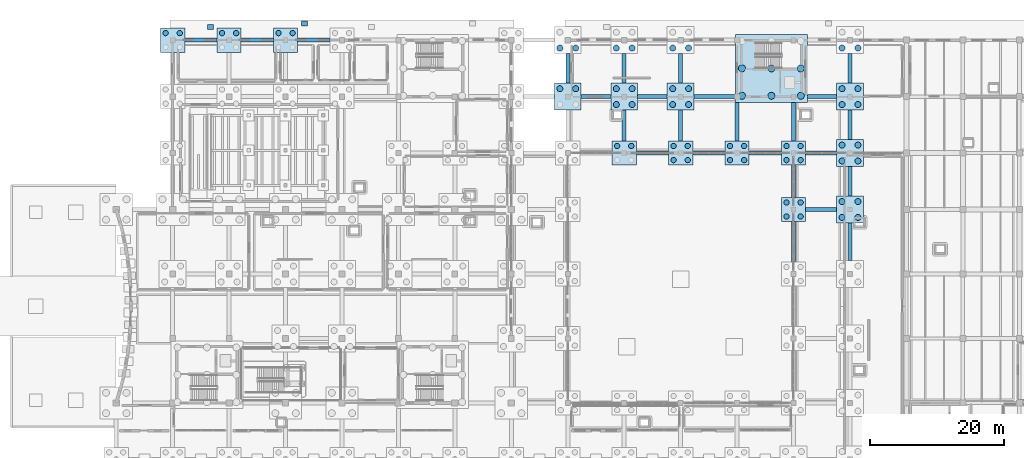
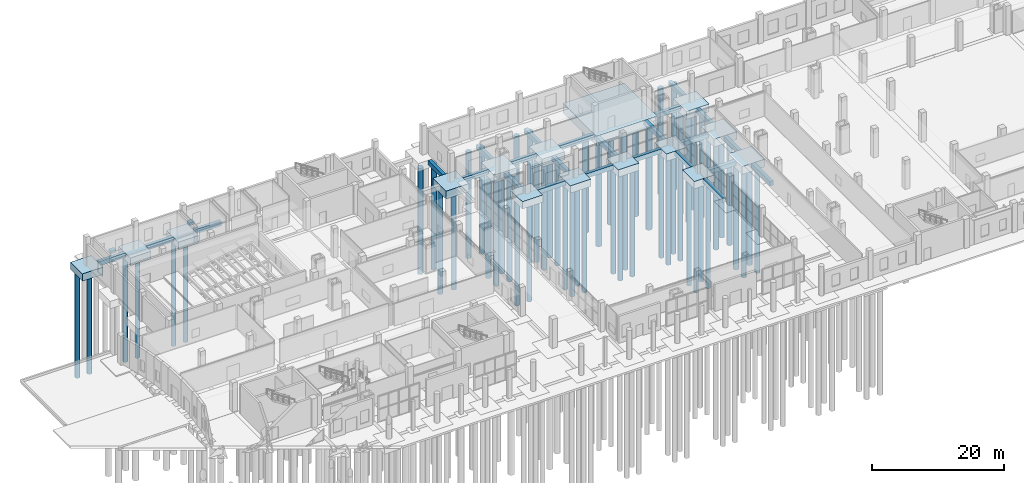
# One storey, part 6 of 65: 60 piles, 42 footings.
"""IFC4 building model written with IfcOpenShell, lengths in metres."""

from ifc_helpers import new_model, si_unit, direction, frame, origin, origin_2d, place, context, subcontext, project, spatial, polyline, circle, outline, extrude, material, layer, layer_set, material_profile, profile_set, type_object, element, save


model = new_model("IFC4")

# Units and contexts
model_context = context("Model", 3, precision=1e-05, world=origin(), true_north=direction((0.0, 1.0)))
body_context = subcontext(model_context, "Body", "Model", "MODEL_VIEW")
ifc_project = project(units=[si_unit("LENGTHUNIT", "METRE"), si_unit("AREAUNIT", "SQUARE_METRE"), si_unit("VOLUMEUNIT", "CUBIC_METRE"), si_unit("PLANEANGLEUNIT", "RADIAN"), si_unit("MASSUNIT", "GRAM", prefix="KILO")], contexts=[model_context])

# Site, building, storey
site_placement = place(None, origin())
site = spatial("IfcSite", under=ifc_project, at=site_placement, CompositionType="ELEMENT")
building_placement = place(site_placement, origin())
building = spatial("IfcBuilding", under=site, at=building_placement, Name="Zulmaris Art Gallery", CompositionType="ELEMENT")
storey_placement = place(building_placement, origin())
storey = spatial("IfcBuildingStorey", under=building, at=storey_placement, Name="L00", CompositionType="ELEMENT", Elevation=0.0)

# Footings
ifc_material = material(Name="Concrete C40/50", Category="concrete")
ifc_layer_1 = layer(ifc_material, 0.800048828125)
ifc_layer_set_1 = layer_set([ifc_layer_1], Name="Concrete C40/50")
footing_type_1 = type_object("IfcFootingType", Name="FTG-GB01", PredefinedType="FOOTING_BEAM", material=ifc_layer_set_1)
footing_1_placement = place(storey_placement, frame((0.0, 0.0, -0.800048828125)))
element("IfcFooting", 1, at=footing_1_placement, inside=storey, type_object=footing_type_1, Name="L00 ground tie beam X", PredefinedType="FOOTING_BEAM", context=body_context, shape_type="SweptSolid", body=[
    extrude(outline(polyline([(126.60009765625, 50.10009765625), (131.199951171875, 50.10009765625), (131.199951171875, 50.699951171875), (126.60009765625, 50.699951171875), (126.60009765625, 50.10009765625)])), origin(), (0.0, 0.0, 1.0), 0.800048828125),
])
footing_2_placement = place(storey_placement, frame((0.0, 0.0, -0.800048828125)))
element("IfcFooting", 2, at=footing_2_placement, inside=storey, type_object=footing_type_1, Name="L00 ground tie beam X", PredefinedType="FOOTING_BEAM", context=body_context, shape_type="SweptSolid", body=[
    extrude(outline(polyline([(101.39990234375, 58.5), (106.199951171875, 58.5), (106.199951171875, 59.10009765625), (101.39990234375, 59.10009765625), (101.39990234375, 58.5)])), origin(), (0.0, 0.0, 1.0), 0.800048828125),
])
footing_3_placement = place(storey_placement, frame((0.0, 0.0, -0.800048828125)))
element("IfcFooting", 3, at=footing_3_placement, inside=storey, type_object=footing_type_1, Name="L00 ground tie beam X", PredefinedType="FOOTING_BEAM", context=body_context, shape_type="SweptSolid", body=[
    extrude(outline(polyline([(109.800048828125, 58.5), (114.60009765625, 58.5), (114.60009765625, 59.10009765625), (109.800048828125, 59.10009765625), (109.800048828125, 58.5)])), origin(), (0.0, 0.0, 1.0), 0.800048828125),
])
footing_4_placement = place(storey_placement, frame((0.0, 0.0, -0.800048828125)))
element("IfcFooting", 4, at=footing_4_placement, inside=storey, type_object=footing_type_1, Name="L00 ground tie beam X", PredefinedType="FOOTING_BEAM", context=body_context, shape_type="SweptSolid", body=[
    extrude(outline(polyline([(118.199951171875, 58.5), (123.0, 58.5), (123.0, 59.10009765625), (118.199951171875, 59.10009765625), (118.199951171875, 58.5)])), origin(), (0.0, 0.0, 1.0), 0.800048828125),
])
footing_5_placement = place(storey_placement, frame((0.0, 0.0, -0.800048828125)))
element("IfcFooting", 5, at=footing_5_placement, inside=storey, type_object=footing_type_1, Name="L00 ground tie beam X", PredefinedType="FOOTING_BEAM", context=body_context, shape_type="SweptSolid", body=[
    extrude(outline(polyline([(126.60009765625, 58.5), (131.199951171875, 58.5), (131.199951171875, 59.10009765625), (126.60009765625, 59.10009765625), (126.60009765625, 58.5)])), origin(), (0.0, 0.0, 1.0), 0.800048828125),
])
footing_6_placement = place(storey_placement, frame((0.0, 0.0, -0.800048828125)))
element("IfcFooting", 6, at=footing_6_placement, inside=storey, type_object=footing_type_1, Name="L00 ground tie beam X", PredefinedType="FOOTING_BEAM", context=body_context, shape_type="SweptSolid", body=[
    extrude(outline(polyline([(93.199951171875, 66.89990234375), (97.60009765625, 66.89990234375), (97.60009765625, 67.5), (93.199951171875, 67.5), (93.199951171875, 66.89990234375)])), origin(), (0.0, 0.0, 1.0), 0.800048828125),
])
footing_7_placement = place(storey_placement, frame((0.0, 0.0, -0.800048828125)))
element("IfcFooting", 7, at=footing_7_placement, inside=storey, type_object=footing_type_1, Name="L00 ground tie beam X", PredefinedType="FOOTING_BEAM", context=body_context, shape_type="SweptSolid", body=[
    extrude(outline(polyline([(101.60009765625, 66.89990234375), (106.0, 66.89990234375), (106.0, 67.5), (101.60009765625, 67.5), (101.60009765625, 66.89990234375)])), origin(), (0.0, 0.0, 1.0), 0.800048828125),
])
footing_8_placement = place(storey_placement, frame((0.0, 0.0, -0.800048828125)))
element("IfcFooting", 8, at=footing_8_placement, inside=storey, type_object=footing_type_1, Name="L00 ground tie beam X", PredefinedType="FOOTING_BEAM", context=body_context, shape_type="SweptSolid", body=[
    extrude(outline(polyline([(110.0, 66.89990234375), (116.14990234375, 66.89990234375), (116.14990234375, 67.5), (110.0, 67.5), (110.0, 66.89990234375)])), origin(), (0.0, 0.0, 1.0), 0.800048828125),
])
footing_9_placement = place(storey_placement, frame((0.0, 0.0, -0.800048828125)))
element("IfcFooting", 9, at=footing_9_placement, inside=storey, type_object=footing_type_1, Name="L00 ground tie beam X", PredefinedType="FOOTING_BEAM", context=body_context, shape_type="SweptSolid", body=[
    extrude(outline(polyline([(126.85009765625, 66.89990234375), (131.199951171875, 66.89990234375), (131.199951171875, 67.5), (126.85009765625, 67.5), (126.85009765625, 66.89990234375)])), origin(), (0.0, 0.0, 1.0), 0.800048828125),
])
footing_10_placement = place(storey_placement, frame((0.0, 0.0, -0.800048828125)))
element("IfcFooting", 10, at=footing_10_placement, inside=storey, type_object=footing_type_1, Name="L00 ground tie beam X", PredefinedType="FOOTING_BEAM", context=body_context, shape_type="SweptSolid", body=[
    extrude(outline(polyline([(34.199951171875, 75.300048828125), (39.0, 75.300048828125), (39.0, 75.89990234375), (34.199951171875, 75.89990234375), (34.199951171875, 75.300048828125)])), origin(), (0.0, 0.0, 1.0), 0.800048828125),
])
footing_11_placement = place(storey_placement, frame((0.0, 0.0, -0.800048828125)))
element("IfcFooting", 11, at=footing_11_placement, inside=storey, type_object=footing_type_1, Name="L00 ground tie beam X", PredefinedType="FOOTING_BEAM", context=body_context, shape_type="SweptSolid", body=[
    extrude(outline(polyline([(42.60009765625, 75.300048828125), (47.39990234375, 75.300048828125), (47.39990234375, 75.89990234375), (42.60009765625, 75.89990234375), (42.60009765625, 75.300048828125)])), origin(), (0.0, 0.0, 1.0), 0.800048828125),
])
footing_12_placement = place(storey_placement, frame((0.0, 0.0, -0.800048828125)))
element("IfcFooting", 12, at=footing_12_placement, inside=storey, type_object=footing_type_1, Name="L00 ground tie beam X", PredefinedType="FOOTING_BEAM", context=body_context, shape_type="SweptSolid", body=[
    extrude(outline(polyline([(51.0, 75.300048828125), (55.800048828125, 75.300048828125), (55.800048828125, 75.89990234375), (51.0, 75.89990234375), (51.0, 75.300048828125)])), origin(), (0.0, 0.0, 1.0), 0.800048828125),
])
footing_13_placement = place(storey_placement, frame((0.0, 0.0, -0.800048828125)))
element("IfcFooting", 13, at=footing_13_placement, inside=storey, type_object=footing_type_1, Name="L00 ground tie beam Y", PredefinedType="FOOTING_BEAM", context=body_context, shape_type="SweptSolid", body=[
    extrude(outline(polyline([(90.89990234375, 69.199951171875), (91.5, 69.199951171875), (91.5, 73.60009765625), (90.89990234375, 73.60009765625), (90.89990234375, 69.199951171875)])), origin(), (0.0, 0.0, 1.0), 0.800048828125),
])
footing_14_placement = place(storey_placement, frame((0.0, 0.0, -0.800048828125)))
element("IfcFooting", 14, at=footing_14_placement, inside=storey, type_object=footing_type_1, Name="L00 ground tie beam Y", PredefinedType="FOOTING_BEAM", context=body_context, shape_type="SweptSolid", body=[
    extrude(outline(polyline([(99.300048828125, 60.60009765625), (99.89990234375, 60.60009765625), (99.89990234375, 65.199951171875), (99.300048828125, 65.199951171875), (99.300048828125, 60.60009765625)])), origin(), (0.0, 0.0, 1.0), 0.800048828125),
])
footing_15_placement = place(storey_placement, frame((0.0, 0.0, -0.800048828125)))
element("IfcFooting", 15, at=footing_15_placement, inside=storey, type_object=footing_type_1, Name="L00 ground tie beam Y", PredefinedType="FOOTING_BEAM", context=body_context, shape_type="SweptSolid", body=[
    extrude(outline(polyline([(99.300048828125, 69.199951171875), (99.89990234375, 69.199951171875), (99.89990234375, 73.60009765625), (99.300048828125, 73.60009765625), (99.300048828125, 69.199951171875)])), origin(), (0.0, 0.0, 1.0), 0.800048828125),
])
footing_16_placement = place(storey_placement, frame((0.0, 0.0, -0.800048828125)))
element("IfcFooting", 16, at=footing_16_placement, inside=storey, type_object=footing_type_1, Name="L00 ground tie beam Y", PredefinedType="FOOTING_BEAM", context=body_context, shape_type="SweptSolid", body=[
    extrude(outline(polyline([(107.699951171875, 60.60009765625), (108.300048828125, 60.60009765625), (108.300048828125, 65.199951171875), (107.699951171875, 65.199951171875), (107.699951171875, 60.60009765625)])), origin(), (0.0, 0.0, 1.0), 0.800048828125),
])
footing_17_placement = place(storey_placement, frame((0.0, 0.0, -0.800048828125)))
element("IfcFooting", 17, at=footing_17_placement, inside=storey, type_object=footing_type_1, Name="L00 ground tie beam Y", PredefinedType="FOOTING_BEAM", context=body_context, shape_type="SweptSolid", body=[
    extrude(outline(polyline([(107.699951171875, 69.199951171875), (108.300048828125, 69.199951171875), (108.300048828125, 73.60009765625), (107.699951171875, 73.60009765625), (107.699951171875, 69.199951171875)])), origin(), (0.0, 0.0, 1.0), 0.800048828125),
])
footing_18_placement = place(storey_placement, frame((0.0, 0.0, -0.800048828125)))
element("IfcFooting", 18, at=footing_18_placement, inside=storey, type_object=footing_type_1, Name="L00 ground tie beam Y", PredefinedType="FOOTING_BEAM", context=body_context, shape_type="SweptSolid", body=[
    extrude(outline(polyline([(116.10009765625, 60.60009765625), (116.699951171875, 60.60009765625), (116.699951171875, 66.35009765625), (116.10009765625, 66.35009765625), (116.10009765625, 60.60009765625)])), origin(), (0.0, 0.0, 1.0), 0.800048828125),
])
footing_19_placement = place(storey_placement, frame((0.0, 0.0, -0.800048828125)))
element("IfcFooting", 19, at=footing_19_placement, inside=storey, type_object=footing_type_1, Name="L00 ground tie beam Y", PredefinedType="FOOTING_BEAM", context=body_context, shape_type="SweptSolid", body=[
    extrude(outline(polyline([(124.5, 42.60009765625), (125.10009765625, 42.60009765625), (125.10009765625, 48.60009765625), (124.5, 48.60009765625), (124.5, 42.60009765625)])), origin(), (0.0, 0.0, 1.0), 0.800048828125),
])
footing_20_placement = place(storey_placement, frame((0.0, 0.0, -0.800048828125)))
element("IfcFooting", 20, at=footing_20_placement, inside=storey, type_object=footing_type_1, Name="L00 ground tie beam Y", PredefinedType="FOOTING_BEAM", context=body_context, shape_type="SweptSolid", body=[
    extrude(outline(polyline([(124.5, 52.199951171875), (125.10009765625, 52.199951171875), (125.10009765625, 57.0), (124.5, 57.0), (124.5, 52.199951171875)])), origin(), (0.0, 0.0, 1.0), 0.800048828125),
])
footing_21_placement = place(storey_placement, frame((0.0, 0.0, -0.800048828125)))
element("IfcFooting", 21, at=footing_21_placement, inside=storey, type_object=footing_type_1, Name="L00 ground tie beam Y", PredefinedType="FOOTING_BEAM", context=body_context, shape_type="SweptSolid", body=[
    extrude(outline(polyline([(124.5, 60.60009765625), (125.10009765625, 60.60009765625), (125.10009765625, 66.35009765625), (124.5, 66.35009765625), (124.5, 60.60009765625)])), origin(), (0.0, 0.0, 1.0), 0.800048828125),
])
footing_22_placement = place(storey_placement, frame((0.0, 0.0, -0.800048828125)))
element("IfcFooting", 22, at=footing_22_placement, inside=storey, type_object=footing_type_1, Name="L00 ground tie beam Y", PredefinedType="FOOTING_BEAM", context=body_context, shape_type="SweptSolid", body=[
    extrude(outline(polyline([(132.89990234375, 42.800048828125), (133.5, 42.800048828125), (133.5, 48.39990234375), (132.89990234375, 48.39990234375), (132.89990234375, 42.800048828125)])), origin(), (0.0, 0.0, 1.0), 0.800048828125),
])
footing_23_placement = place(storey_placement, frame((0.0, 0.0, -0.800048828125)))
element("IfcFooting", 23, at=footing_23_placement, inside=storey, type_object=footing_type_1, Name="L00 ground tie beam Y", PredefinedType="FOOTING_BEAM", context=body_context, shape_type="SweptSolid", body=[
    extrude(outline(polyline([(132.89990234375, 52.39990234375), (133.5, 52.39990234375), (133.5, 56.800048828125), (132.89990234375, 56.800048828125), (132.89990234375, 52.39990234375)])), origin(), (0.0, 0.0, 1.0), 0.800048828125),
])
footing_24_placement = place(storey_placement, frame((0.0, 0.0, -0.800048828125)))
element("IfcFooting", 24, at=footing_24_placement, inside=storey, type_object=footing_type_1, Name="L00 ground tie beam Y", PredefinedType="FOOTING_BEAM", context=body_context, shape_type="SweptSolid", body=[
    extrude(outline(polyline([(132.89990234375, 60.800048828125), (133.5, 60.800048828125), (133.5, 65.199951171875), (132.89990234375, 65.199951171875), (132.89990234375, 60.800048828125)])), origin(), (0.0, 0.0, 1.0), 0.800048828125),
])
footing_25_placement = place(storey_placement, frame((0.0, 0.0, -0.800048828125)))
element("IfcFooting", 25, at=footing_25_placement, inside=storey, type_object=footing_type_1, Name="L00 ground tie beam Y", PredefinedType="FOOTING_BEAM", context=body_context, shape_type="SweptSolid", body=[
    extrude(outline(polyline([(132.89990234375, 69.199951171875), (133.5, 69.199951171875), (133.5, 73.60009765625), (132.89990234375, 73.60009765625), (132.89990234375, 69.199951171875)])), origin(), (0.0, 0.0, 1.0), 0.800048828125),
])
ifc_layer_2 = layer(ifc_material, 1.75)
ifc_layer_set_2 = layer_set([ifc_layer_2], Name="Concrete C40/50")
footing_type_2 = type_object("IfcFootingType", Name="FTG-MAT-C5", PredefinedType="PILE_CAP", material=ifc_layer_set_2)
footing_26_placement = place(storey_placement, frame((0.0, 0.0, -1.75)))
element("IfcFooting", 26, at=footing_26_placement, inside=storey, type_object=footing_type_2, Name="Core C5 pile cap", PredefinedType="PILE_CAP", context=body_context, shape_type="SweptSolid", body=[
    extrude(outline(polyline([(116.14990234375, 66.35009765625), (126.85009765625, 66.35009765625), (126.85009765625, 76.449951171875), (116.14990234375, 76.449951171875), (116.14990234375, 66.35009765625)])), origin(), (0.0, 0.0, 1.0), 1.75),
])
ifc_layer_3 = layer(ifc_material, 0.699951171875)
ifc_layer_set_3 = layer_set([ifc_layer_3], Name="Concrete C40/50")
footing_type_3 = type_object("IfcFootingType", Name="FTG-PAD01", PredefinedType="PAD_FOOTING", material=ifc_layer_set_3)
footing_27_placement = place(storey_placement, frame((0.0, 0.0, -0.800048828125)))
element("IfcFooting", 27, at=footing_27_placement, inside=storey, type_object=footing_type_3, Name="Exterior apron APR-NORTH-V3 grade pad 1", PredefinedType="PAD_FOOTING", context=body_context, shape_type="SweptSolid", body=[
    extrude(outline(polyline([(37.550048828125, 77.169921875), (38.449951171875, 77.169921875), (38.449951171875, 77.929931640625), (37.550048828125, 77.929931640625), (37.550048828125, 77.169921875)])), origin(), (0.0, 0.0, 1.0), 0.5),
])
footing_28_placement = place(storey_placement, frame((0.0, 0.0, -0.800048828125)))
element("IfcFooting", 28, at=footing_28_placement, inside=storey, type_object=footing_type_3, Name="Exterior apron APR-NORTH-V3 grade pad 2", PredefinedType="PAD_FOOTING", context=body_context, shape_type="SweptSolid", body=[
    extrude(outline(polyline([(51.550048828125, 77.719970703125), (52.449951171875, 77.719970703125), (52.449951171875, 78.47998046875), (51.550048828125, 78.47998046875), (51.550048828125, 77.719970703125)])), origin(), (0.0, 0.0, 1.0), 0.5),
])
ifc_layer_4 = layer(ifc_material, 1.35009765625)
ifc_layer_set_4 = layer_set([ifc_layer_4], Name="Concrete C40/50")
footing_type_4 = type_object("IfcFootingType", Name="FTG-PC01", PredefinedType="PILE_CAP", material=ifc_layer_set_4)
footing_29_placement = place(storey_placement, frame((0.0, 0.0, -1.35009765625)))
element("IfcFooting", 29, at=footing_29_placement, inside=storey, type_object=footing_type_4, Name="L00 pile cap PC01 at (32.4, 75.6)", PredefinedType="PILE_CAP", context=body_context, shape_type="SweptSolid", body=[
    extrude(outline(polyline([(30.60009765625, 73.800048828125), (34.199951171875, 73.800048828125), (34.199951171875, 77.39990234375), (30.60009765625, 77.39990234375), (30.60009765625, 73.800048828125)])), origin(), (0.0, 0.0, 1.0), 1.35009765625),
])
footing_30_placement = place(storey_placement, frame((0.0, 0.0, -1.35009765625)))
element("IfcFooting", 30, at=footing_30_placement, inside=storey, type_object=footing_type_4, Name="L00 pile cap PC01 at (40.8, 75.6)", PredefinedType="PILE_CAP", context=body_context, shape_type="SweptSolid", body=[
    extrude(outline(polyline([(39.0, 73.800048828125), (42.60009765625, 73.800048828125), (42.60009765625, 77.39990234375), (39.0, 77.39990234375), (39.0, 73.800048828125)])), origin(), (0.0, 0.0, 1.0), 1.35009765625),
])
footing_31_placement = place(storey_placement, frame((0.0, 0.0, -1.35009765625)))
element("IfcFooting", 31, at=footing_31_placement, inside=storey, type_object=footing_type_4, Name="L00 pile cap PC01 at (49.2, 75.6)", PredefinedType="PILE_CAP", context=body_context, shape_type="SweptSolid", body=[
    extrude(outline(polyline([(47.39990234375, 73.800048828125), (51.0, 73.800048828125), (51.0, 77.39990234375), (47.39990234375, 77.39990234375), (47.39990234375, 73.800048828125)])), origin(), (0.0, 0.0, 1.0), 1.35009765625),
])
footing_32_placement = place(storey_placement, frame((0.0, 0.0, -1.35009765625)))
element("IfcFooting", 32, at=footing_32_placement, inside=storey, type_object=footing_type_4, Name="L00 pile cap PC01 at (99.6, 58.8)", PredefinedType="PILE_CAP", context=body_context, shape_type="SweptSolid", body=[
    extrude(outline(polyline([(97.800048828125, 57.0), (101.39990234375, 57.0), (101.39990234375, 60.60009765625), (97.800048828125, 60.60009765625), (97.800048828125, 57.0)])), origin(), (0.0, 0.0, 1.0), 1.35009765625),
])
footing_33_placement = place(storey_placement, frame((0.0, 0.0, -1.35009765625)))
element("IfcFooting", 33, at=footing_33_placement, inside=storey, type_object=footing_type_4, Name="L00 pile cap PC01 at (108.0, 58.8)", PredefinedType="PILE_CAP", context=body_context, shape_type="SweptSolid", body=[
    extrude(outline(polyline([(106.199951171875, 57.0), (109.800048828125, 57.0), (109.800048828125, 60.60009765625), (106.199951171875, 60.60009765625), (106.199951171875, 57.0)])), origin(), (0.0, 0.0, 1.0), 1.35009765625),
])
footing_34_placement = place(storey_placement, frame((0.0, 0.0, -1.35009765625)))
element("IfcFooting", 34, at=footing_34_placement, inside=storey, type_object=footing_type_4, Name="L00 pile cap PC01 at (116.4, 58.8)", PredefinedType="PILE_CAP", context=body_context, shape_type="SweptSolid", body=[
    extrude(outline(polyline([(114.60009765625, 57.0), (118.199951171875, 57.0), (118.199951171875, 60.60009765625), (114.60009765625, 60.60009765625), (114.60009765625, 57.0)])), origin(), (0.0, 0.0, 1.0), 1.35009765625),
])
footing_35_placement = place(storey_placement, frame((0.0, 0.0, -1.35009765625)))
element("IfcFooting", 35, at=footing_35_placement, inside=storey, type_object=footing_type_4, Name="L00 pile cap PC01 at (124.8, 50.4)", PredefinedType="PILE_CAP", context=body_context, shape_type="SweptSolid", body=[
    extrude(outline(polyline([(123.0, 48.60009765625), (126.60009765625, 48.60009765625), (126.60009765625, 52.199951171875), (123.0, 52.199951171875), (123.0, 48.60009765625)])), origin(), (0.0, 0.0, 1.0), 1.35009765625),
])
footing_36_placement = place(storey_placement, frame((0.0, 0.0, -1.35009765625)))
element("IfcFooting", 36, at=footing_36_placement, inside=storey, type_object=footing_type_4, Name="L00 pile cap PC01 at (124.8, 58.8)", PredefinedType="PILE_CAP", context=body_context, shape_type="SweptSolid", body=[
    extrude(outline(polyline([(123.0, 57.0), (126.60009765625, 57.0), (126.60009765625, 60.60009765625), (123.0, 60.60009765625), (123.0, 57.0)])), origin(), (0.0, 0.0, 1.0), 1.35009765625),
])
ifc_layer_5 = layer(ifc_material, 1.449951171875)
ifc_layer_set_5 = layer_set([ifc_layer_5], Name="Concrete C40/50")
footing_type_5 = type_object("IfcFootingType", Name="FTG-PC02", PredefinedType="PILE_CAP", material=ifc_layer_set_5)
footing_37_placement = place(storey_placement, frame((0.0, 0.0, -1.449951171875)))
element("IfcFooting", 37, at=footing_37_placement, inside=storey, type_object=footing_type_5, Name="L00 pile cap PC02 at (91.2, 67.2)", PredefinedType="PILE_CAP", context=body_context, shape_type="SweptSolid", body=[
    extrude(outline(polyline([(89.199951171875, 65.199951171875), (93.199951171875, 65.199951171875), (93.199951171875, 69.199951171875), (89.199951171875, 69.199951171875), (89.199951171875, 65.199951171875)])), origin(), (0.0, 0.0, 1.0), 1.449951171875),
])
footing_38_placement = place(storey_placement, frame((0.0, 0.0, -1.449951171875)))
element("IfcFooting", 38, at=footing_38_placement, inside=storey, type_object=footing_type_5, Name="L00 pile cap PC02 at (99.6, 67.2)", PredefinedType="PILE_CAP", context=body_context, shape_type="SweptSolid", body=[
    extrude(outline(polyline([(97.60009765625, 65.199951171875), (101.60009765625, 65.199951171875), (101.60009765625, 69.199951171875), (97.60009765625, 69.199951171875), (97.60009765625, 65.199951171875)])), origin(), (0.0, 0.0, 1.0), 1.449951171875),
])
footing_39_placement = place(storey_placement, frame((0.0, 0.0, -1.449951171875)))
element("IfcFooting", 39, at=footing_39_placement, inside=storey, type_object=footing_type_5, Name="L00 pile cap PC02 at (108.0, 67.2)", PredefinedType="PILE_CAP", context=body_context, shape_type="SweptSolid", body=[
    extrude(outline(polyline([(106.0, 65.199951171875), (110.0, 65.199951171875), (110.0, 69.199951171875), (106.0, 69.199951171875), (106.0, 65.199951171875)])), origin(), (0.0, 0.0, 1.0), 1.449951171875),
])
footing_40_placement = place(storey_placement, frame((0.0, 0.0, -1.449951171875)))
element("IfcFooting", 40, at=footing_40_placement, inside=storey, type_object=footing_type_5, Name="L00 pile cap PC02 at (133.2, 50.4)", PredefinedType="PILE_CAP", context=body_context, shape_type="SweptSolid", body=[
    extrude(outline(polyline([(131.199951171875, 48.39990234375), (135.199951171875, 48.39990234375), (135.199951171875, 52.39990234375), (131.199951171875, 52.39990234375), (131.199951171875, 48.39990234375)])), origin(), (0.0, 0.0, 1.0), 1.449951171875),
])
footing_41_placement = place(storey_placement, frame((0.0, 0.0, -1.449951171875)))
element("IfcFooting", 41, at=footing_41_placement, inside=storey, type_object=footing_type_5, Name="L00 pile cap PC02 at (133.2, 58.8)", PredefinedType="PILE_CAP", context=body_context, shape_type="SweptSolid", body=[
    extrude(outline(polyline([(131.199951171875, 56.800048828125), (135.199951171875, 56.800048828125), (135.199951171875, 60.800048828125), (131.199951171875, 60.800048828125), (131.199951171875, 56.800048828125)])), origin(), (0.0, 0.0, 1.0), 1.449951171875),
])
footing_42_placement = place(storey_placement, frame((0.0, 0.0, -1.449951171875)))
element("IfcFooting", 42, at=footing_42_placement, inside=storey, type_object=footing_type_5, Name="L00 pile cap PC02 at (133.2, 67.2)", PredefinedType="PILE_CAP", context=body_context, shape_type="SweptSolid", body=[
    extrude(outline(polyline([(131.199951171875, 65.199951171875), (135.199951171875, 65.199951171875), (135.199951171875, 69.199951171875), (131.199951171875, 69.199951171875), (131.199951171875, 65.199951171875)])), origin(), (0.0, 0.0, 1.0), 1.449951171875),
])

# Piles
ifc_material_profile_1 = material_profile(ifc_material, circle(Radius=0.52490234375, at=origin_2d()), Name="PILE DIA 1050")
ifc_profile_set_1 = profile_set([ifc_material_profile_1], Name="Concrete C40/50")
pile_type_1 = type_object("IfcPileType", Name="PILE-1050", PredefinedType="BORED", material=ifc_profile_set_1)
for number, where, z_axis, x_axis, name in (
    (43, (117.125, 67.324951171875, -1.64990234375), (0.0, 0.0, -1.0), (1.0, 0.0, 0.0), "Core C5 bored pile 1"),
    (44, (117.125, 71.39990234375, -1.64990234375), (0.0, 0.0, -1.0), (1.0, 0.0, 0.0), "Core C5 bored pile 2"),
    (45, (121.5, 67.324951171875, -1.64990234375), (0.0, 0.0, -1.0), (1.0, 0.0, 0.0), "Core C5 bored pile 4"),
    (46, (121.5, 71.39990234375, -1.64990234375), (0.0, 0.0, -1.0), (1.0, 0.0, 0.0), "Core C5 bored pile 5"),
    (47, (125.875, 67.324951171875, -1.64990234375), (0.0, 0.0, -1.0), (1.0, 0.0, 0.0), "Core C5 bored pile 7"),
    (48, (125.875, 71.39990234375, -1.64990234375), (0.0, 0.0, -1.0), (1.0, 0.0, 0.0), "Core C5 bored pile 8"),
):
    element("IfcPile", number, at=place(storey_placement, frame(where, z_axis=z_axis, x_axis=x_axis)), inside=storey, type_object=pile_type_1, Name=name, PredefinedType="BORED", context=body_context, shape_type="SweptSolid", body=[
        extrude(circle(Radius=0.52490234375, at=origin_2d()), origin(), (0.0, 0.0, 1.0), 19.35009765625),
    ])
ifc_material_profile_2 = material_profile(ifc_material, circle(Radius=0.39990234375, at=origin_2d()), Name="PILE DIA 800")
ifc_profile_set_2 = profile_set([ifc_material_profile_2], Name="Concrete C40/50")
pile_type_2 = type_object("IfcPileType", Name="PILE-800", PredefinedType="BORED", material=ifc_profile_set_2)
for number, where, z_axis, x_axis, name in (
    (49, (31.35009765625, 76.64990234375, -1.25), (0.0, 0.0, -1.0), (1.0, 0.0, 0.0), "L00 bored pile 3 under FTG-CAP-L00-0324-756"),
    (50, (33.449951171875, 76.64990234375, -1.25), (0.0, 0.0, -1.0), (1.0, 0.0, 0.0), "L00 bored pile 4 under FTG-CAP-L00-0324-756"),
    (51, (39.75, 76.64990234375, -1.25), (0.0, 0.0, -1.0), (1.0, 0.0, 0.0), "L00 bored pile 3 under FTG-CAP-L00-0408-756"),
    (52, (41.85009765625, 76.64990234375, -1.25), (0.0, 0.0, -1.0), (1.0, 0.0, 0.0), "L00 bored pile 4 under FTG-CAP-L00-0408-756"),
    (53, (48.14990234375, 76.64990234375, -1.25), (0.0, 0.0, -1.0), (1.0, 0.0, 0.0), "L00 bored pile 3 under FTG-CAP-L00-0492-756"),
    (54, (50.25, 76.64990234375, -1.25), (0.0, 0.0, -1.0), (1.0, 0.0, 0.0), "L00 bored pile 4 under FTG-CAP-L00-0492-756"),
    (55, (98.550048828125, 59.85009765625, -1.25), (0.0, 0.0, -1.0), (1.0, 0.0, 0.0), "L00 bored pile 3 under FTG-CAP-L00-0996-588"),
    (56, (100.64990234375, 59.85009765625, -1.25), (0.0, 0.0, -1.0), (1.0, 0.0, 0.0), "L00 bored pile 4 under FTG-CAP-L00-0996-588"),
    (57, (106.949951171875, 57.75, -1.25), (0.0, 0.0, -1.0), (1.0, 0.0, 0.0), "L00 bored pile 1 under FTG-CAP-L00-1080-588"),
    (58, (109.050048828125, 57.75, -1.25), (0.0, 0.0, -1.0), (1.0, 0.0, 0.0), "L00 bored pile 2 under FTG-CAP-L00-1080-588"),
    (59, (106.949951171875, 59.85009765625, -1.25), (0.0, 0.0, -1.0), (1.0, 0.0, 0.0), "L00 bored pile 3 under FTG-CAP-L00-1080-588"),
    (60, (109.050048828125, 59.85009765625, -1.25), (0.0, 0.0, -1.0), (1.0, 0.0, 0.0), "L00 bored pile 4 under FTG-CAP-L00-1080-588"),
    (61, (115.35009765625, 57.75, -1.25), (0.0, 0.0, -1.0), (1.0, 0.0, 0.0), "L00 bored pile 1 under FTG-CAP-L00-1164-588"),
    (62, (117.449951171875, 57.75, -1.25), (0.0, 0.0, -1.0), (1.0, 0.0, 0.0), "L00 bored pile 2 under FTG-CAP-L00-1164-588"),
    (63, (115.35009765625, 59.85009765625, -1.25), (0.0, 0.0, -1.0), (1.0, 0.0, 0.0), "L00 bored pile 3 under FTG-CAP-L00-1164-588"),
    (64, (117.449951171875, 59.85009765625, -1.25), (0.0, 0.0, -1.0), (1.0, 0.0, 0.0), "L00 bored pile 4 under FTG-CAP-L00-1164-588"),
    (65, (123.75, 49.35009765625, -1.25), (0.0, 0.0, -1.0), (1.0, 0.0, 0.0), "L00 bored pile 1 under FTG-CAP-L00-1248-504"),
    (66, (125.85009765625, 49.35009765625, -1.25), (0.0, 0.0, -1.0), (1.0, 0.0, 0.0), "L00 bored pile 2 under FTG-CAP-L00-1248-504"),
    (67, (123.75, 51.449951171875, -1.25), (0.0, 0.0, -1.0), (1.0, 0.0, 0.0), "L00 bored pile 3 under FTG-CAP-L00-1248-504"),
    (68, (125.85009765625, 51.449951171875, -1.25), (0.0, 0.0, -1.0), (1.0, 0.0, 0.0), "L00 bored pile 4 under FTG-CAP-L00-1248-504"),
    (69, (123.75, 57.75, -1.25), (0.0, 0.0, -1.0), (1.0, 0.0, 0.0), "L00 bored pile 1 under FTG-CAP-L00-1248-588"),
    (70, (125.85009765625, 57.75, -1.25), (0.0, 0.0, -1.0), (1.0, 0.0, 0.0), "L00 bored pile 2 under FTG-CAP-L00-1248-588"),
    (71, (123.75, 59.85009765625, -1.25), (0.0, 0.0, -1.0), (1.0, 0.0, 0.0), "L00 bored pile 3 under FTG-CAP-L00-1248-588"),
    (72, (125.85009765625, 59.85009765625, -1.25), (0.0, 0.0, -1.0), (1.0, 0.0, 0.0), "L00 bored pile 4 under FTG-CAP-L00-1248-588"),
):
    element("IfcPile", number, at=place(storey_placement, frame(where, z_axis=z_axis, x_axis=x_axis)), inside=storey, type_object=pile_type_2, Name=name, PredefinedType="BORED", context=body_context, shape_type="SweptSolid", body=[
        extrude(circle(Radius=0.39990234375, at=origin_2d()), origin(), (0.0, 0.0, 1.0), 19.75),
    ])
ifc_material_profile_3 = material_profile(ifc_material, circle(Radius=0.449951171875, at=origin_2d()), Name="PILE DIA 900")
ifc_profile_set_3 = profile_set([ifc_material_profile_3], Name="Concrete C40/50")
pile_type_3 = type_object("IfcPileType", Name="PILE-900", PredefinedType="BORED", material=ifc_profile_set_3)
for number, where, z_axis, x_axis, name in (
    (73, (90.02001953125, 68.3798828125, -1.35009765625), (0.0, 0.0, -1.0), (1.0, 0.0, 0.0), "L00 bored pile 3 under FTG-CAP-L00-0912-672"),
    (74, (92.3798828125, 68.3798828125, -1.35009765625), (0.0, 0.0, -1.0), (1.0, 0.0, 0.0), "L00 bored pile 4 under FTG-CAP-L00-0912-672"),
    (75, (90.02001953125, 74.419921875, -1.35009765625), (0.0, 0.0, -1.0), (1.0, 0.0, 0.0), "L00 bored pile 1 under FTG-CAP-L00-0912-756"),
    (76, (92.3798828125, 74.419921875, -1.35009765625), (0.0, 0.0, -1.0), (1.0, 0.0, 0.0), "L00 bored pile 2 under FTG-CAP-L00-0912-756"),
    (77, (98.419921875, 66.02001953125, -1.35009765625), (0.0, 0.0, -1.0), (1.0, 0.0, 0.0), "L00 bored pile 1 under FTG-CAP-L00-0996-672"),
    (78, (100.780029296875, 66.02001953125, -1.35009765625), (0.0, 0.0, -1.0), (1.0, 0.0, 0.0), "L00 bored pile 2 under FTG-CAP-L00-0996-672"),
    (79, (98.419921875, 68.3798828125, -1.35009765625), (0.0, 0.0, -1.0), (1.0, 0.0, 0.0), "L00 bored pile 3 under FTG-CAP-L00-0996-672"),
    (80, (100.780029296875, 68.3798828125, -1.35009765625), (0.0, 0.0, -1.0), (1.0, 0.0, 0.0), "L00 bored pile 4 under FTG-CAP-L00-0996-672"),
    (81, (98.419921875, 74.419921875, -1.35009765625), (0.0, 0.0, -1.0), (1.0, 0.0, 0.0), "L00 bored pile 1 under FTG-CAP-L00-0996-756"),
    (82, (100.780029296875, 74.419921875, -1.35009765625), (0.0, 0.0, -1.0), (1.0, 0.0, 0.0), "L00 bored pile 2 under FTG-CAP-L00-0996-756"),
    (83, (106.820068359375, 66.02001953125, -1.35009765625), (0.0, 0.0, -1.0), (1.0, 0.0, 0.0), "L00 bored pile 1 under FTG-CAP-L00-1080-672"),
    (84, (109.179931640625, 66.02001953125, -1.35009765625), (0.0, 0.0, -1.0), (1.0, 0.0, 0.0), "L00 bored pile 2 under FTG-CAP-L00-1080-672"),
    (85, (106.820068359375, 68.3798828125, -1.35009765625), (0.0, 0.0, -1.0), (1.0, 0.0, 0.0), "L00 bored pile 3 under FTG-CAP-L00-1080-672"),
    (86, (109.179931640625, 68.3798828125, -1.35009765625), (0.0, 0.0, -1.0), (1.0, 0.0, 0.0), "L00 bored pile 4 under FTG-CAP-L00-1080-672"),
    (87, (106.820068359375, 74.419921875, -1.35009765625), (0.0, 0.0, -1.0), (1.0, 0.0, 0.0), "L00 bored pile 1 under FTG-CAP-L00-1080-756"),
    (88, (109.179931640625, 74.419921875, -1.35009765625), (0.0, 0.0, -1.0), (1.0, 0.0, 0.0), "L00 bored pile 2 under FTG-CAP-L00-1080-756"),
    (89, (132.02001953125, 49.219970703125, -1.35009765625), (0.0, 0.0, -1.0), (1.0, 0.0, 0.0), "L00 bored pile 1 under FTG-CAP-L00-1332-504"),
    (90, (134.3798828125, 49.219970703125, -1.35009765625), (0.0, 0.0, -1.0), (1.0, 0.0, 0.0), "L00 bored pile 2 under FTG-CAP-L00-1332-504"),
    (91, (132.02001953125, 51.580078125, -1.35009765625), (0.0, 0.0, -1.0), (1.0, 0.0, 0.0), "L00 bored pile 3 under FTG-CAP-L00-1332-504"),
    (92, (134.3798828125, 51.580078125, -1.35009765625), (0.0, 0.0, -1.0), (1.0, 0.0, 0.0), "L00 bored pile 4 under FTG-CAP-L00-1332-504"),
    (93, (132.02001953125, 57.6201171875, -1.35009765625), (0.0, 0.0, -1.0), (1.0, 0.0, 0.0), "L00 bored pile 1 under FTG-CAP-L00-1332-588"),
    (94, (134.3798828125, 57.6201171875, -1.35009765625), (0.0, 0.0, -1.0), (1.0, 0.0, 0.0), "L00 bored pile 2 under FTG-CAP-L00-1332-588"),
    (95, (132.02001953125, 59.97998046875, -1.35009765625), (0.0, 0.0, -1.0), (1.0, 0.0, 0.0), "L00 bored pile 3 under FTG-CAP-L00-1332-588"),
    (96, (134.3798828125, 59.97998046875, -1.35009765625), (0.0, 0.0, -1.0), (1.0, 0.0, 0.0), "L00 bored pile 4 under FTG-CAP-L00-1332-588"),
    (97, (132.02001953125, 66.02001953125, -1.35009765625), (0.0, 0.0, -1.0), (1.0, 0.0, 0.0), "L00 bored pile 1 under FTG-CAP-L00-1332-672"),
    (98, (134.3798828125, 66.02001953125, -1.35009765625), (0.0, 0.0, -1.0), (1.0, 0.0, 0.0), "L00 bored pile 2 under FTG-CAP-L00-1332-672"),
    (99, (132.02001953125, 68.3798828125, -1.35009765625), (0.0, 0.0, -1.0), (1.0, 0.0, 0.0), "L00 bored pile 3 under FTG-CAP-L00-1332-672"),
    (100, (134.3798828125, 68.3798828125, -1.35009765625), (0.0, 0.0, -1.0), (1.0, 0.0, 0.0), "L00 bored pile 4 under FTG-CAP-L00-1332-672"),
    (101, (132.02001953125, 74.419921875, -1.35009765625), (0.0, 0.0, -1.0), (1.0, 0.0, 0.0), "L00 bored pile 1 under FTG-CAP-L00-1332-756"),
    (102, (134.3798828125, 74.419921875, -1.35009765625), (0.0, 0.0, -1.0), (1.0, 0.0, 0.0), "L00 bored pile 2 under FTG-CAP-L00-1332-756"),
):
    element("IfcPile", number, at=place(storey_placement, frame(where, z_axis=z_axis, x_axis=x_axis)), inside=storey, type_object=pile_type_3, Name=name, PredefinedType="BORED", context=body_context, shape_type="SweptSolid", body=[
        extrude(circle(Radius=0.449951171875, at=origin_2d()), origin(), (0.0, 0.0, 1.0), 19.64990234375),
    ])

save(model, "model.ifc")
